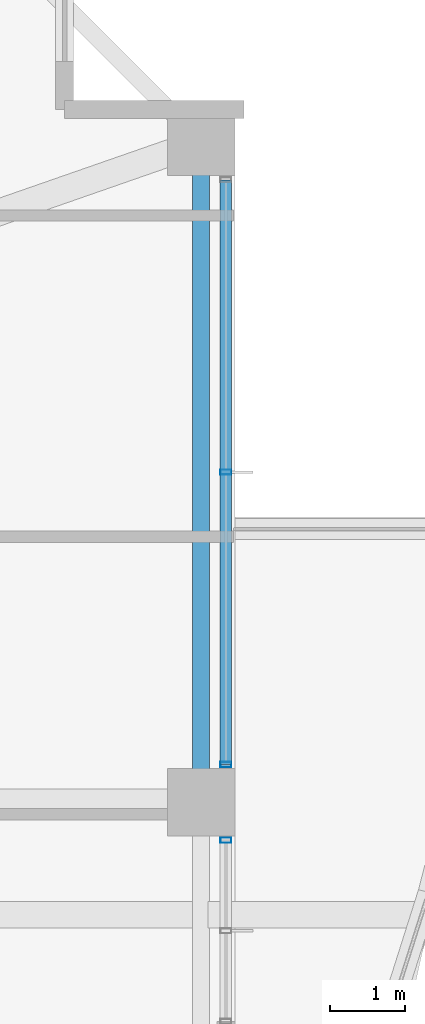
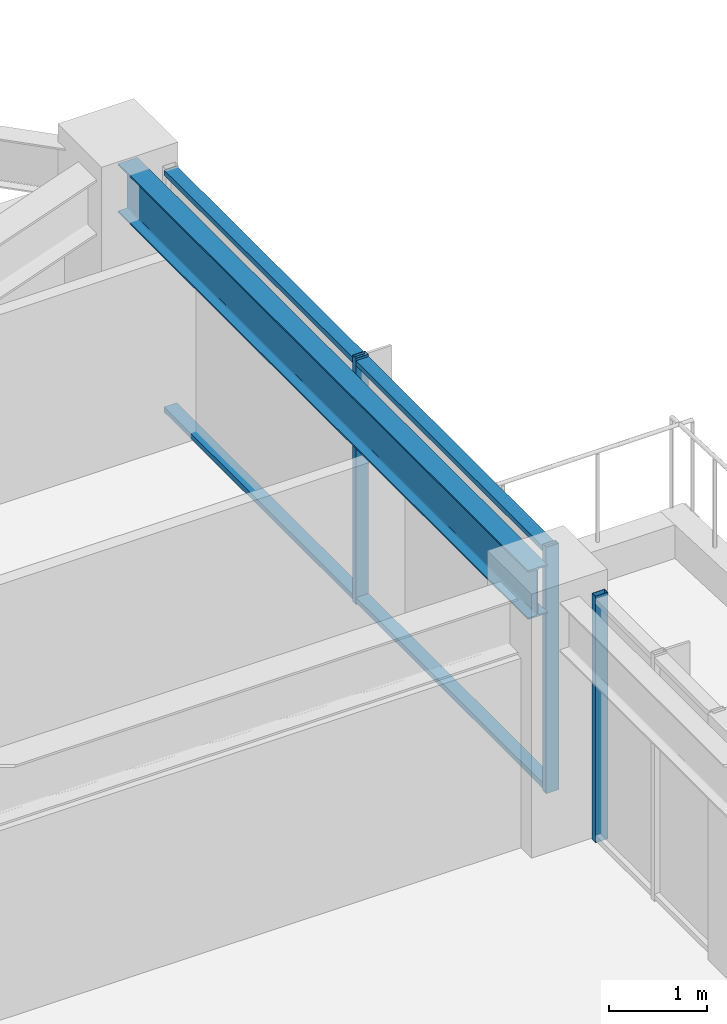
# One storey, part 15 of 34: 5 members, 1 beam, 2 elements without a shape of their own.
"""IFC4 building model written with IfcOpenShell, lengths in metres."""

import ifcopenshell
import ifcopenshell.guid

model = None  # the IFC model being written
_history = None  # IfcOwnerHistory: only IFC2X3 demands one
_inside = {}  # id of a spatial element -> (the spatial element, [elements in it])
_under = {}  # id of a project, library or spatial element -> (it, [spatial elements below it])
_declared = {}  # id of a project -> (the project, [libraries it declares])
_typed = {}  # id of a type object -> (the type object, [elements of that type])
_made_of = {}  # id of a material, layer set ... -> (it, [elements and type objects made of it])


def new_model(schema):
    """Start an empty IFC model of exactly this schema.

    Asked for "IFC4X3", IfcOpenShell would pick the latest addendum, in which some entities
    have other attributes; the version numbers below select the first issue.
    IFC2X3 requires an IfcOwnerHistory on every rooted entity: one is made here for all.
    """
    global model, _history
    if schema == "IFC4X3":
        model = ifcopenshell.file(schema_version=(4, 3, 0, 0))
    else:
        model = ifcopenshell.file(schema=schema)
    _inside.clear()
    _under.clear()
    _declared.clear()
    _typed.clear()
    _made_of.clear()
    _history = None
    if model.schema == "IFC2X3":
        org = make("IfcOrganization", Name="unknown")
        user = make(
            "IfcPersonAndOrganization",
            ThePerson=make("IfcPerson", FamilyName="unknown"),
            TheOrganization=org,
        )
        app = make(
            "IfcApplication",
            ApplicationDeveloper=org,
            Version="unknown",
            ApplicationFullName="unknown",
            ApplicationIdentifier="unknown",
        )
        _history = make(
            "IfcOwnerHistory",
            OwningUser=user,
            OwningApplication=app,
            ChangeAction="ADDED",
            CreationDate=0,
        )
    return model


def make(cls, **values):
    """One entity of the class cls with the attributes given. An attribute that is None is left unset."""
    return model.create_entity(
        cls, **{name: value for name, value in values.items() if value is not None}
    )


def rooted(cls, **values):
    """An entity with a GlobalId (a new one), such as an element, a storey or a relation."""
    return make(cls, GlobalId=ifcopenshell.guid.new(), OwnerHistory=_history, **values)


def si_unit(unit_type, name, prefix=None):
    """IfcSIUnit, for example si_unit("LENGTHUNIT", "METRE", prefix="MILLI")."""
    return make("IfcSIUnit", UnitType=unit_type, Prefix=prefix, Name=name)


def assignment(units):
    """IfcUnitAssignment: the units of a project."""
    return None if units is None else make("IfcUnitAssignment", Units=units)


def point(xyz):
    """IfcCartesianPoint."""
    return None if xyz is None else make("IfcCartesianPoint", Coordinates=xyz)


def direction(xyz):
    """IfcDirection."""
    return None if xyz is None else make("IfcDirection", DirectionRatios=xyz)


def frame(location, z_axis=None, x_axis=None):
    """IfcAxis2Placement3D, a coordinate frame: its origin and axes. An axis left out is left unset."""
    return make(
        "IfcAxis2Placement3D",
        Location=point(location),
        Axis=direction(z_axis),
        RefDirection=direction(x_axis),
    )


def frame_2d(location, x_axis=None):
    """IfcAxis2Placement2D, a coordinate frame in the plane: its origin and x axis."""
    return make(
        "IfcAxis2Placement2D", Location=point(location), RefDirection=direction(x_axis)
    )


def origin():
    """The frame at (0, 0, 0) with its axes left unset."""
    return frame((0.0, 0.0, 0.0))


def origin_2d():
    """The frame at (0, 0) in the plane with its x axis left unset."""
    return frame_2d((0.0, 0.0))


def place(relative_to, where):
    """IfcLocalPlacement: puts the frame where relative to a parent placement (None: the world)."""
    return make(
        "IfcLocalPlacement", PlacementRelTo=relative_to, RelativePlacement=where
    )


def context(
    kind, dimensions, precision=None, world=None, true_north=None, identifier=None
):
    """IfcGeometricRepresentationContext, for example the 3D "Model" context."""
    return make(
        "IfcGeometricRepresentationContext",
        ContextIdentifier=identifier,
        ContextType=kind,
        CoordinateSpaceDimension=dimensions,
        Precision=precision,
        WorldCoordinateSystem=world,
        TrueNorth=true_north,
    )


def subcontext(parent, identifier, kind, view, scale=None):
    """IfcGeometricRepresentationSubContext, for example "Body" below "Model"."""
    return make(
        "IfcGeometricRepresentationSubContext",
        ContextIdentifier=identifier,
        ContextType=kind,
        ParentContext=parent,
        TargetScale=scale,
        TargetView=view,
    )


def project(units=None, contexts=None):
    """IfcProject with its units and contexts."""
    return rooted(
        "IfcProject",
        Name="project",
        RepresentationContexts=contexts,
        UnitsInContext=assignment(units),
    )


def spatial(cls, under=None, at=None, **own):
    """A site, building, storey or space (cls), placed at a placement, below another one or the project."""
    s = rooted(cls, ObjectPlacement=at, **own)
    if under is not None:
        _under.setdefault(under.id(), (under, []))[1].append(s)
    return s


def profile(cls, at=None, kind="AREA", **sizes):
    """A parametric profile (cls). Its sizes go by their IFC names, for example OverallWidth=200.0."""
    return make(cls, ProfileType=kind, Position=at, **sizes)


def hollow_rectangle(**sizes):
    """IfcRectangleHollowProfileDef."""
    return profile("IfcRectangleHollowProfileDef", **sizes)


def i_section(**sizes):
    """IfcIShapeProfileDef."""
    return profile("IfcIShapeProfileDef", **sizes)


def extrude(swept, where, along, depth):
    """IfcExtrudedAreaSolid: the profile swept, set in the frame where, extruded along a direction by depth."""
    return make(
        "IfcExtrudedAreaSolid",
        SweptArea=swept,
        Position=where,
        ExtrudedDirection=direction(along),
        Depth=depth,
    )


def shape(context_of_items, identifier, shape_type, items):
    """IfcShapeRepresentation: the items that make up one representation, for example the "Body"."""
    return make(
        "IfcShapeRepresentation",
        ContextOfItems=context_of_items,
        RepresentationIdentifier=identifier,
        RepresentationType=shape_type,
        Items=items,
    )


def material(Name=None, Category=None):
    """IfcMaterial."""
    return make("IfcMaterial", Name=Name, Category=Category)


def material_profile(
    of_material, cross_section, Name=None, Category=None, Priority=None
):
    """IfcMaterialProfile: a cross section and its material."""
    return make(
        "IfcMaterialProfile",
        Name=Name,
        Material=of_material,
        Profile=cross_section,
        Priority=Priority,
        Category=Category,
    )


def profile_set(profiles, Name=None, composite=None):
    """IfcMaterialProfileSet."""
    return make(
        "IfcMaterialProfileSet",
        Name=Name,
        MaterialProfiles=profiles,
        CompositeProfile=composite,
    )


def made_of(thing, what):
    """Note that an element or type object is made of a material, layer set ...; save() writes the relation."""
    if what is not None:
        _made_of.setdefault(what.id(), (what, []))[1].append(thing)
    return thing


def type_object(cls, material=None, **own):
    """A type object (cls), such as IfcWallType, which elements share."""
    return made_of(rooted(cls, **own), material)


def element(
    cls,
    number,
    at=None,
    inside=None,
    cuts=None,
    type_object=None,
    material=None,
    context=None,
    identifier="Body",
    shape_type=None,
    held_by="IfcProductDefinitionShape",
    body=None,
    shapes=None,
    **own,
):
    """One element of the class cls, such as IfcWall. Its Tag is "e" and its number.

    at: its placement. inside: the storey or other place that contains it. cuts: it is an
    opening in that element (IfcRelVoidsElement). A single representation is given by context,
    identifier, shape_type and body (its items); several are given by shapes. held_by: the class
    of the entity that holds the representations. save() writes the other relations.
    """
    e = rooted(cls, Tag="e%d" % number, ObjectPlacement=at, **own)
    if body is not None:
        shapes = [shape(context, identifier, shape_type, body)]
    if shapes is not None:
        e.Representation = make(held_by, Representations=shapes)
    if inside is not None:
        _inside.setdefault(inside.id(), (inside, []))[1].append(e)
    if cuts is not None:
        rooted(
            "IfcRelVoidsElement", RelatingBuildingElement=cuts, RelatedOpeningElement=e
        )
    if type_object is not None:
        _typed.setdefault(type_object.id(), (type_object, []))[1].append(e)
    return made_of(e, material)


def aggregate(whole, parts):
    """IfcRelAggregates: a whole, such as a stair, and the parts it consists of."""
    return rooted("IfcRelAggregates", RelatingObject=whole, RelatedObjects=parts)


def save(model, path):
    """Write the relations noted so far, then the file.

    IfcRelAggregates (storeys below a building ...), IfcRelContainedInSpatialStructure (elements
    in a storey), IfcRelDefinesByType, IfcRelAssociatesMaterial and IfcRelDeclares: one each for
    every whole, place, type object, material and project.
    """
    for whole, parts in _under.values():
        aggregate(whole, parts)
    for where, things in _inside.values():
        rooted(
            "IfcRelContainedInSpatialStructure",
            RelatedElements=things,
            RelatingStructure=where,
        )
    for kind, things in _typed.values():
        rooted("IfcRelDefinesByType", RelatedObjects=things, RelatingType=kind)
    for what, things in _made_of.values():
        rooted("IfcRelAssociatesMaterial", RelatedObjects=things, RelatingMaterial=what)
    for by, libraries in _declared.values():
        rooted("IfcRelDeclares", RelatingContext=by, RelatedDefinitions=libraries)
    model.write(path)


model = new_model("IFC4")

# Units and contexts
model_context = context("Model", 3, precision=1e-05, world=origin(), true_north=direction((0.0, 1.0)))
body_context = subcontext(model_context, "Body", "Model", "MODEL_VIEW")
ifc_project = project(units=[si_unit("LENGTHUNIT", "METRE"), si_unit("AREAUNIT", "SQUARE_METRE"), si_unit("VOLUMEUNIT", "CUBIC_METRE"), si_unit("PLANEANGLEUNIT", "RADIAN"), si_unit("MASSUNIT", "GRAM", prefix="KILO")], contexts=[model_context])

# Site, building, storey
site_placement = place(None, origin())
site = spatial("IfcSite", under=ifc_project, at=site_placement, CompositionType="ELEMENT")
building_placement = place(site_placement, origin())
building = spatial("IfcBuilding", under=site, at=building_placement, Name="Kolvaren Belvedere", CompositionType="ELEMENT")
storey_placement = place(building_placement, frame((0.0, 0.0, 189.89990234375)))
storey = spatial("IfcBuildingStorey", under=building, at=storey_placement, Name="L55", CompositionType="ELEMENT", Elevation=189.89990234375)

# Beam
ifc_material_1 = material(Name="Structural steel ASTM A992 Grade 50", Category="steel")
ifc_material_profile_1 = material_profile(ifc_material_1, i_section(OverallWidth=0.22900390625, OverallDepth=0.612060546875, WebThickness=0.011962890625, FlangeThickness=0.01953125, FilletRadius=0.01806640625, at=origin_2d()), Name="W24X84")
ifc_profile_set_1 = profile_set([ifc_material_profile_1], Name="Structural steel ASTM A992 Grade 50")
beam_type = type_object("IfcBeamType", Name="BM-SPAN-W24X84", PredefinedType="SPANDREL", material=ifc_profile_set_1)
beam_placement = place(storey_placement, frame((19.949951171875, 4.802490234375, 2.774169921875), z_axis=(0.0, 1.0, 0.0), x_axis=(-1.0, 0.0, 0.0)))
element("IfcBeam", 1, at=beam_placement, inside=storey, type_object=beam_type, Name="L55 Perimeter Spandrel E3-E4", PredefinedType="SPANDREL", context=body_context, shape_type="SweptSolid", body=[
    extrude(i_section(OverallWidth=0.22900390625, OverallDepth=0.612060546875, WebThickness=0.011962890625, FlangeThickness=0.01953125, FilletRadius=0.01806640625, at=origin_2d()), origin(), (0.0, 0.0, 1.0), 8.39501953125),
])

# Curtain wall, members
ifc_material_2 = material(Name="Anodised pale-metal aluminium AA 6063-T6", Category="aluminium")
curtain_wall_type = type_object("IfcCurtainWallType", Name="CW-Z5-HIGH", PredefinedType="NOTDEFINED", material=ifc_material_2)
curtain_wall_1_placement = place(storey_placement, origin())
curtain_wall_1 = element("IfcCurtainWall", 2, at=curtain_wall_1_placement, inside=storey, type_object=curtain_wall_type, Name="L55 Unitised Curtain Wall FCW-L55-E1-B1", PredefinedType="NOTDEFINED")
ifc_material_3 = material(Name="Anodised pale-metal aluminium AA 6063-T6", Category="aluminium")
ifc_material_profile_2 = material_profile(ifc_material_3, hollow_rectangle(XDim=0.070068359375, YDim=0.14990234375, WallThickness=0.004150390625, at=origin_2d()), Name="ALU-MUL-150X70")
ifc_profile_set_2 = profile_set([ifc_material_profile_2], Name="Anodised pale-metal aluminium AA 6063-T6")
member_type_1 = type_object("IfcMemberType", Name="CW-MUL-150", PredefinedType="MULLION", material=ifc_profile_set_2)
member_1_placement = place(storey_placement, frame((20.280029296875, 9.0, 0.0), z_axis=(0.0, 0.0, 1.0), x_axis=(0.0, 1.0, 0.0)))
member_1 = element("IfcMember", 3, at=member_1_placement, type_object=member_type_1, Name="FCW-L55-E1-B1 Unitised Mullion 2", PredefinedType="MULLION", context=body_context, shape_type="SweptSolid", body=[
    extrude(hollow_rectangle(XDim=0.070068359375, YDim=0.14990234375, WallThickness=0.004150390625, at=origin_2d()), origin(), (0.0, 0.0, 1.0), 3.080078125),
])
member_2_placement = place(storey_placement, frame((20.280029296875, 5.10498046875, 0.0), z_axis=(0.0, 0.0, 1.0), x_axis=(0.0, 1.0, 0.0)))
member_2 = element("IfcMember", 4, at=member_2_placement, type_object=member_type_1, Name="FCW-L55-E1-B1 Unitised Mullion 3", PredefinedType="MULLION", context=body_context, shape_type="SweptSolid", body=[
    extrude(hollow_rectangle(XDim=0.070068359375, YDim=0.14990234375, WallThickness=0.004150390625, at=origin_2d()), origin(), (0.0, 0.0, 1.0), 3.080078125),
])

# Curtain wall, member
curtain_wall_2_placement = place(storey_placement, origin())
curtain_wall_2 = element("IfcCurtainWall", 5, at=curtain_wall_2_placement, inside=storey, type_object=curtain_wall_type, Name="L55 Unitised Curtain Wall FCW-L55-E1-B2", PredefinedType="NOTDEFINED")
member_3_placement = place(storey_placement, frame((20.280029296875, 4.094970703125, 0.0), z_axis=(0.0, 0.0, 1.0), x_axis=(0.0, 1.0, 0.0)))
member_3 = element("IfcMember", 6, at=member_3_placement, type_object=member_type_1, Name="FCW-L55-E1-B2 Unitised Mullion 1", PredefinedType="MULLION", context=body_context, shape_type="SweptSolid", body=[
    extrude(hollow_rectangle(XDim=0.070068359375, YDim=0.14990234375, WallThickness=0.004150390625, at=origin_2d()), origin(), (0.0, 0.0, 1.0), 3.080078125),
])
aggregate(curtain_wall_2, [member_3])

# Member
ifc_material_4 = material(Name="Anodised pale-metal aluminium AA 6063-T6", Category="aluminium")
ifc_material_profile_3 = material_profile(ifc_material_4, hollow_rectangle(XDim=0.06494140625, YDim=0.14990234375, WallThickness=0.00390625, at=origin_2d()), Name="ALU-TRN-150X65")
ifc_profile_set_3 = profile_set([ifc_material_profile_3], Name="Anodised pale-metal aluminium AA 6063-T6")
member_type_2 = type_object("IfcMemberType", Name="CW-TRN-150", PredefinedType="USERDEFINED", material=ifc_profile_set_3)
member_4_placement = place(storey_placement, frame((20.280029296875, 12.89501953125, 0.06005859375), z_axis=(0.0, -1.0, 0.0), x_axis=(0.0, 0.0, 1.0)))
member_4 = element("IfcMember", 7, at=member_4_placement, type_object=member_type_2, Name="FCW-L55-E1-B1 Sill Transom", ObjectType="TRANSOM", PredefinedType="USERDEFINED", context=body_context, shape_type="SweptSolid", body=[
    extrude(hollow_rectangle(XDim=0.06494140625, YDim=0.14990234375, WallThickness=0.00390625, at=origin_2d()), origin(), (0.0, 0.0, 1.0), 7.7900390625),
])

member_5_placement = place(storey_placement, frame((20.280029296875, 12.89501953125, 3.02001953125), z_axis=(0.0, -1.0, 0.0), x_axis=(0.0, 0.0, 1.0)))
member_5 = element("IfcMember", 8, at=member_5_placement, type_object=member_type_2, Name="FCW-L55-E1-B1 Head Transom", ObjectType="TRANSOM", PredefinedType="USERDEFINED", context=body_context, shape_type="SweptSolid", body=[
    extrude(hollow_rectangle(XDim=0.06494140625, YDim=0.14990234375, WallThickness=0.00390625, at=origin_2d()), origin(), (0.0, 0.0, 1.0), 7.7900390625),
])

aggregate(curtain_wall_1, [member_1, member_2, member_4, member_5])

save(model, "model.ifc")
